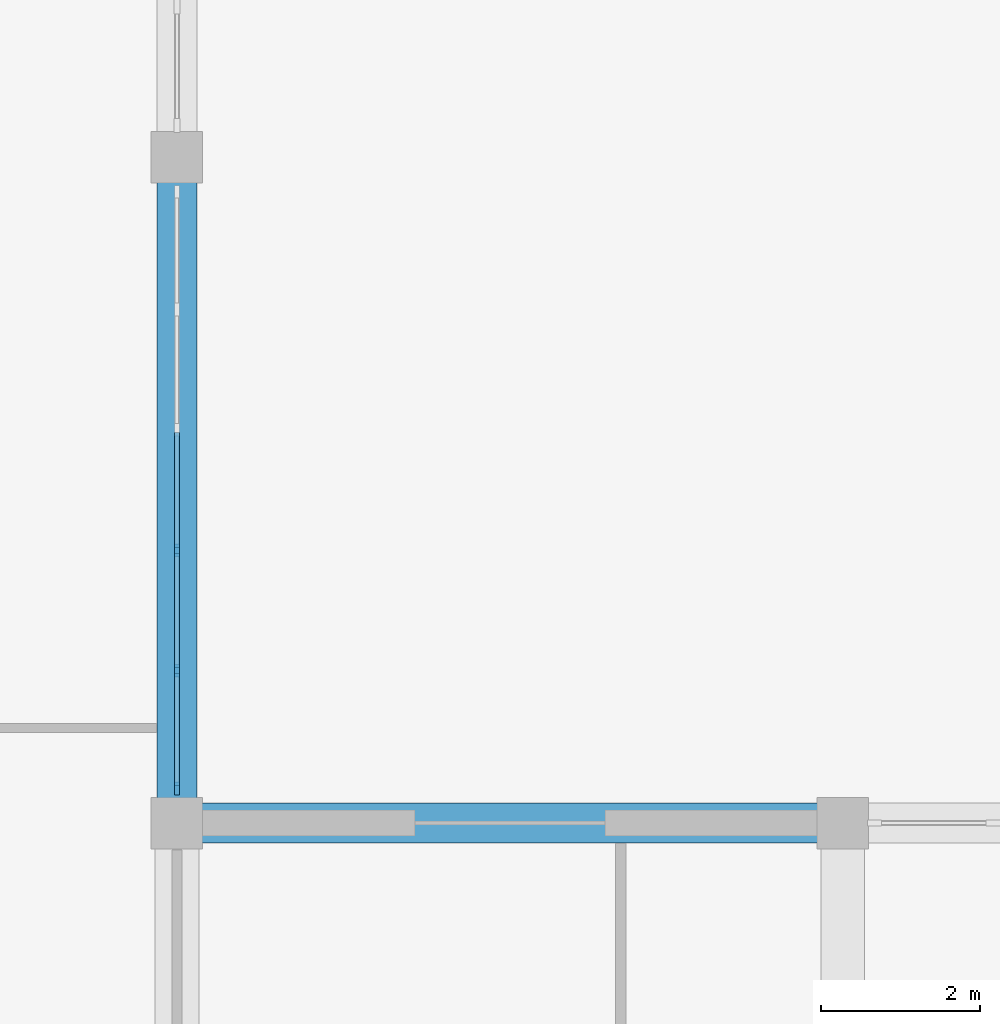
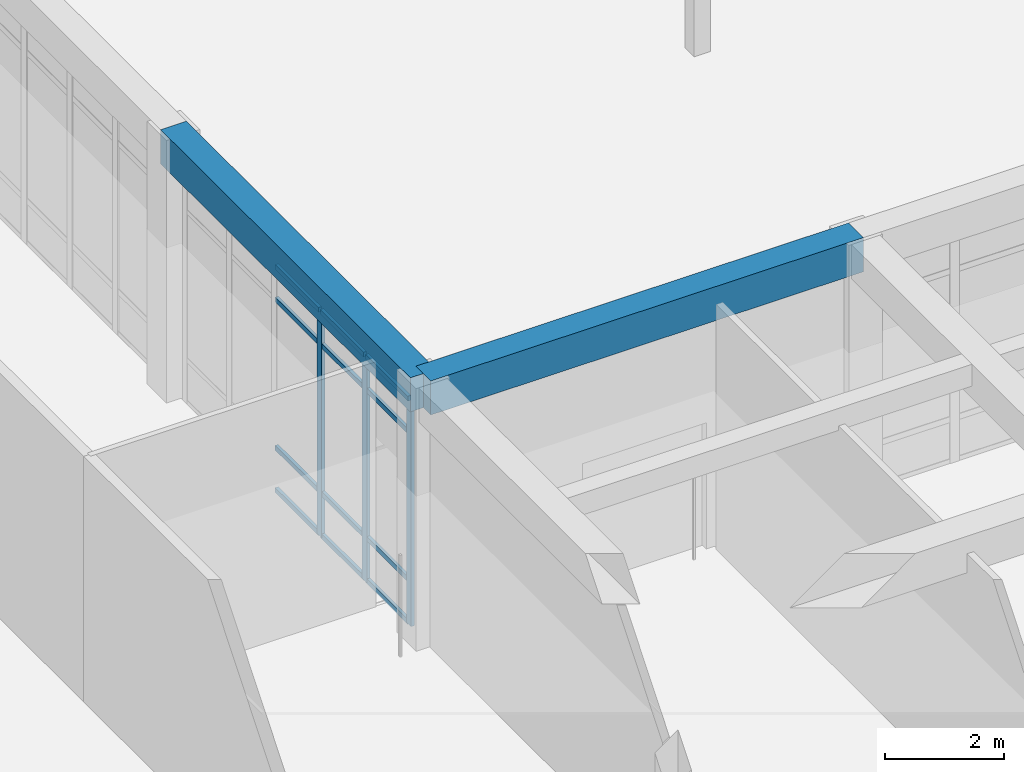
# One storey, part 22 of 167: 15 members, 2 beams, 1 element without a shape of its own.
"""IFC4 building model written with IfcOpenShell, lengths in metres."""

from ifc_helpers import new_model, si_unit, direction, frame, origin, origin_2d, place, context, subcontext, project, spatial, rectangle, extrude, material, material_profile, profile_set, type_object, element, aggregate, save


model = new_model("IFC4")

# Units and contexts
model_context = context("Model", 3, precision=1e-05, world=origin(), true_north=direction((0.0, 1.0)))
body_context = subcontext(model_context, "Body", "Model", "MODEL_VIEW")
ifc_project = project(units=[si_unit("LENGTHUNIT", "METRE"), si_unit("AREAUNIT", "SQUARE_METRE"), si_unit("VOLUMEUNIT", "CUBIC_METRE"), si_unit("PLANEANGLEUNIT", "RADIAN"), si_unit("MASSUNIT", "GRAM", prefix="KILO")], contexts=[model_context])

# Site, building, storey
site_placement = place(None, origin())
site = spatial("IfcSite", under=ifc_project, at=site_placement, CompositionType="ELEMENT")
building_placement = place(site_placement, origin())
building = spatial("IfcBuilding", under=site, at=building_placement, Name="Varncliffe General Hospital", CompositionType="ELEMENT")
storey_placement = place(building_placement, origin())
storey = spatial("IfcBuildingStorey", under=building, at=storey_placement, Name="L00", CompositionType="ELEMENT", Elevation=0.0)

# Curtain wall, members
ifc_material_1 = material(Name="Triple low-E argon insulated vision glazing", Category="glass")
curtain_wall_type = type_object("IfcCurtainWallType", Name="Unitised Glazed Curtain Wall CW26 (7594x4640)", PredefinedType="USERDEFINED", material=ifc_material_1)
curtain_wall_placement = place(storey_placement, origin())
curtain_wall = element("IfcCurtainWall", 1, at=curtain_wall_placement, inside=storey, type_object=curtain_wall_type, Name="L00 Glazed Curtain Wall CW26-38", ObjectType="GLAZED CURTAIN WALL", PredefinedType="USERDEFINED")
ifc_material_2 = material(Name="Dark bronze thermally broken aluminium framing", Category="aluminium")
ifc_material_profile_1 = material_profile(ifc_material_2, rectangle(XDim=0.06494140625, YDim=0.159912109375, at=origin_2d()), Name="ALU 65x160")
ifc_profile_set_1 = profile_set([ifc_material_profile_1], Name="Dark bronze thermally broken aluminium framing")
member_type_1 = type_object("IfcMemberType", Name="Curtain Wall Mullion CM65 (ALU 65x160)", PredefinedType="MULLION", material=ifc_profile_set_1)
member_1_placement = place(storey_placement, frame((117.60009765625, 44.240478515625, 0.0), z_axis=(0.0, 0.0, 1.0), x_axis=(1.0, 0.0, 0.0)))
member_1 = element("IfcMember", 2, at=member_1_placement, type_object=member_type_1, Name="CW26 mullion 4", PredefinedType="MULLION", context=body_context, shape_type="SweptSolid", body=[
    extrude(rectangle(XDim=0.06494140625, YDim=0.159912109375, at=origin_2d()), origin(), (0.0, 0.0, 1.0), 4.639892578125),
])
member_2_placement = place(storey_placement, frame((117.60009765625, 42.7216796875, 0.0), z_axis=(0.0, 0.0, 1.0), x_axis=(1.0, 0.0, 0.0)))
member_2 = element("IfcMember", 3, at=member_2_placement, type_object=member_type_1, Name="CW26 mullion 5", PredefinedType="MULLION", context=body_context, shape_type="SweptSolid", body=[
    extrude(rectangle(XDim=0.06494140625, YDim=0.159912109375, at=origin_2d()), origin(), (0.0, 0.0, 1.0), 4.639892578125),
])
member_3_placement = place(storey_placement, frame((117.60009765625, 41.235595703125, 0.0), z_axis=(0.0, 0.0, 1.0), x_axis=(1.0, 0.0, 0.0)))
member_3 = element("IfcMember", 4, at=member_3_placement, type_object=member_type_1, Name="CW26 mullion 6", PredefinedType="MULLION", context=body_context, shape_type="SweptSolid", body=[
    extrude(rectangle(XDim=0.06494140625, YDim=0.159912109375, at=origin_2d()), origin(), (0.0, 0.0, 1.0), 4.639892578125),
])
ifc_material_profile_2 = material_profile(ifc_material_2, rectangle(XDim=0.06005859375, YDim=0.10009765625, at=origin_2d()), Name="ALU 60x100")
ifc_profile_set_2 = profile_set([ifc_material_profile_2], Name="Dark bronze thermally broken aluminium framing")
member_type_2 = type_object("IfcMemberType", Name="Curtain Wall Transom CT18 (ALU 60x100)", PredefinedType="USERDEFINED", material=ifc_profile_set_2)
member_4_placement = place(storey_placement, frame((117.60009765625, 45.726806640625, 0.030029296875), z_axis=(0.0, -1.0, 0.0), x_axis=(1.0, 0.0, 0.0)))
member_4 = element("IfcMember", 5, at=member_4_placement, type_object=member_type_2, Name="CW26 transom 3.1", ObjectType="TRANSOM", PredefinedType="USERDEFINED", context=body_context, shape_type="SweptSolid", body=[
    extrude(rectangle(XDim=0.06005859375, YDim=0.10009765625, at=origin_2d()), origin(), (0.0, 0.0, 1.0), 1.45361328125),
])
member_5_placement = place(storey_placement, frame((117.60009765625, 45.726806640625, 0.89990234375), z_axis=(0.0, -1.0, 0.0), x_axis=(1.0, 0.0, 0.0)))
member_5 = element("IfcMember", 6, at=member_5_placement, type_object=member_type_2, Name="CW26 transom 3.2", ObjectType="TRANSOM", PredefinedType="USERDEFINED", context=body_context, shape_type="SweptSolid", body=[
    extrude(rectangle(XDim=0.06005859375, YDim=0.10009765625, at=origin_2d()), origin(), (0.0, 0.0, 1.0), 1.45361328125),
])
member_6_placement = place(storey_placement, frame((117.60009765625, 45.726806640625, 3.93994140625), z_axis=(0.0, -1.0, 0.0), x_axis=(1.0, 0.0, 0.0)))
member_6 = element("IfcMember", 7, at=member_6_placement, type_object=member_type_2, Name="CW26 transom 3.3", ObjectType="TRANSOM", PredefinedType="USERDEFINED", context=body_context, shape_type="SweptSolid", body=[
    extrude(rectangle(XDim=0.06005859375, YDim=0.10009765625, at=origin_2d()), origin(), (0.0, 0.0, 1.0), 1.45361328125),
])
member_7_placement = place(storey_placement, frame((117.60009765625, 45.726806640625, 4.610107421875), z_axis=(0.0, -1.0, 0.0), x_axis=(1.0, 0.0, 0.0)))
member_7 = element("IfcMember", 8, at=member_7_placement, type_object=member_type_2, Name="CW26 transom 3.4", ObjectType="TRANSOM", PredefinedType="USERDEFINED", context=body_context, shape_type="SweptSolid", body=[
    extrude(rectangle(XDim=0.06005859375, YDim=0.10009765625, at=origin_2d()), origin(), (0.0, 0.0, 1.0), 1.45361328125),
])
member_8_placement = place(storey_placement, frame((117.60009765625, 44.2080078125, 0.030029296875), z_axis=(0.0, -1.0, 0.0), x_axis=(1.0, 0.0, 0.0)))
member_8 = element("IfcMember", 9, at=member_8_placement, type_object=member_type_2, Name="CW26 transom 4.1", ObjectType="TRANSOM", PredefinedType="USERDEFINED", context=body_context, shape_type="SweptSolid", body=[
    extrude(rectangle(XDim=0.06005859375, YDim=0.10009765625, at=origin_2d()), origin(), (0.0, 0.0, 1.0), 1.45361328125),
])
member_9_placement = place(storey_placement, frame((117.60009765625, 44.2080078125, 0.89990234375), z_axis=(0.0, -1.0, 0.0), x_axis=(1.0, 0.0, 0.0)))
member_9 = element("IfcMember", 10, at=member_9_placement, type_object=member_type_2, Name="CW26 transom 4.2", ObjectType="TRANSOM", PredefinedType="USERDEFINED", context=body_context, shape_type="SweptSolid", body=[
    extrude(rectangle(XDim=0.06005859375, YDim=0.10009765625, at=origin_2d()), origin(), (0.0, 0.0, 1.0), 1.45361328125),
])
member_10_placement = place(storey_placement, frame((117.60009765625, 44.2080078125, 3.93994140625), z_axis=(0.0, -1.0, 0.0), x_axis=(1.0, 0.0, 0.0)))
member_10 = element("IfcMember", 11, at=member_10_placement, type_object=member_type_2, Name="CW26 transom 4.3", ObjectType="TRANSOM", PredefinedType="USERDEFINED", context=body_context, shape_type="SweptSolid", body=[
    extrude(rectangle(XDim=0.06005859375, YDim=0.10009765625, at=origin_2d()), origin(), (0.0, 0.0, 1.0), 1.45361328125),
])
member_11_placement = place(storey_placement, frame((117.60009765625, 44.2080078125, 4.610107421875), z_axis=(0.0, -1.0, 0.0), x_axis=(1.0, 0.0, 0.0)))
member_11 = element("IfcMember", 12, at=member_11_placement, type_object=member_type_2, Name="CW26 transom 4.4", ObjectType="TRANSOM", PredefinedType="USERDEFINED", context=body_context, shape_type="SweptSolid", body=[
    extrude(rectangle(XDim=0.06005859375, YDim=0.10009765625, at=origin_2d()), origin(), (0.0, 0.0, 1.0), 1.45361328125),
])
member_12_placement = place(storey_placement, frame((117.60009765625, 42.689208984375, 0.030029296875), z_axis=(0.0, -1.0, 0.0), x_axis=(1.0, 0.0, 0.0)))
member_12 = element("IfcMember", 13, at=member_12_placement, type_object=member_type_2, Name="CW26 transom 5.1", ObjectType="TRANSOM", PredefinedType="USERDEFINED", context=body_context, shape_type="SweptSolid", body=[
    extrude(rectangle(XDim=0.06005859375, YDim=0.10009765625, at=origin_2d()), origin(), (0.0, 0.0, 1.0), 1.421142578125),
])
member_13_placement = place(storey_placement, frame((117.60009765625, 42.689208984375, 0.89990234375), z_axis=(0.0, -1.0, 0.0), x_axis=(1.0, 0.0, 0.0)))
member_13 = element("IfcMember", 14, at=member_13_placement, type_object=member_type_2, Name="CW26 transom 5.2", ObjectType="TRANSOM", PredefinedType="USERDEFINED", context=body_context, shape_type="SweptSolid", body=[
    extrude(rectangle(XDim=0.06005859375, YDim=0.10009765625, at=origin_2d()), origin(), (0.0, 0.0, 1.0), 1.421142578125),
])
member_14_placement = place(storey_placement, frame((117.60009765625, 42.689208984375, 3.93994140625), z_axis=(0.0, -1.0, 0.0), x_axis=(1.0, 0.0, 0.0)))
member_14 = element("IfcMember", 15, at=member_14_placement, type_object=member_type_2, Name="CW26 transom 5.3", ObjectType="TRANSOM", PredefinedType="USERDEFINED", context=body_context, shape_type="SweptSolid", body=[
    extrude(rectangle(XDim=0.06005859375, YDim=0.10009765625, at=origin_2d()), origin(), (0.0, 0.0, 1.0), 1.421142578125),
])
member_15_placement = place(storey_placement, frame((117.60009765625, 42.689208984375, 4.610107421875), z_axis=(0.0, -1.0, 0.0), x_axis=(1.0, 0.0, 0.0)))
member_15 = element("IfcMember", 16, at=member_15_placement, type_object=member_type_2, Name="CW26 transom 5.4", ObjectType="TRANSOM", PredefinedType="USERDEFINED", context=body_context, shape_type="SweptSolid", body=[
    extrude(rectangle(XDim=0.06005859375, YDim=0.10009765625, at=origin_2d()), origin(), (0.0, 0.0, 1.0), 1.421142578125),
])
aggregate(curtain_wall, [member_1, member_2, member_3, member_4, member_5, member_6, member_7, member_8, member_9, member_10, member_11, member_12, member_13, member_14, member_15])

# Beams
ifc_material_3 = material(Name="Concrete C35/45 (CSA A23.1 35 MPa)", Category="concrete")
ifc_material_profile_3 = material_profile(ifc_material_3, rectangle(XDim=0.5, YDim=0.699951171875, at=origin_2d()), Name="RC 500x700")
ifc_profile_set_3 = profile_set([ifc_material_profile_3], Name="Concrete C35/45 (CSA A23.1 35 MPa)")
beam_type = type_object("IfcBeamType", Name="Spandrel SP19 (Ext RC 500x700)", PredefinedType="SPANDREL", material=ifc_profile_set_3)
for number, where, z_axis, x_axis, name in (
    (17, (117.60009765625, 40.800048828125, 5.050048828125), (1.0, 0.0, 0.0), (0.0, 1.0, 0.0), "L00 Spandrel Beam SP19-60"),
    (18, (117.60009765625, 40.800048828125, 5.050048828125), (0.0, 1.0, 0.0), (-1.0, 0.0, 0.0), "L00 Spandrel Beam SP19-420"),
):
    element("IfcBeam", number, at=place(storey_placement, frame(where, z_axis=z_axis, x_axis=x_axis)), inside=storey, type_object=beam_type, Name=name, PredefinedType="SPANDREL", context=body_context, shape_type="SweptSolid", body=[
        extrude(rectangle(XDim=0.5, YDim=0.699951171875, at=origin_2d()), origin(), (0.0, 0.0, 1.0), 8.39990234375),
    ])

save(model, "model.ifc")
